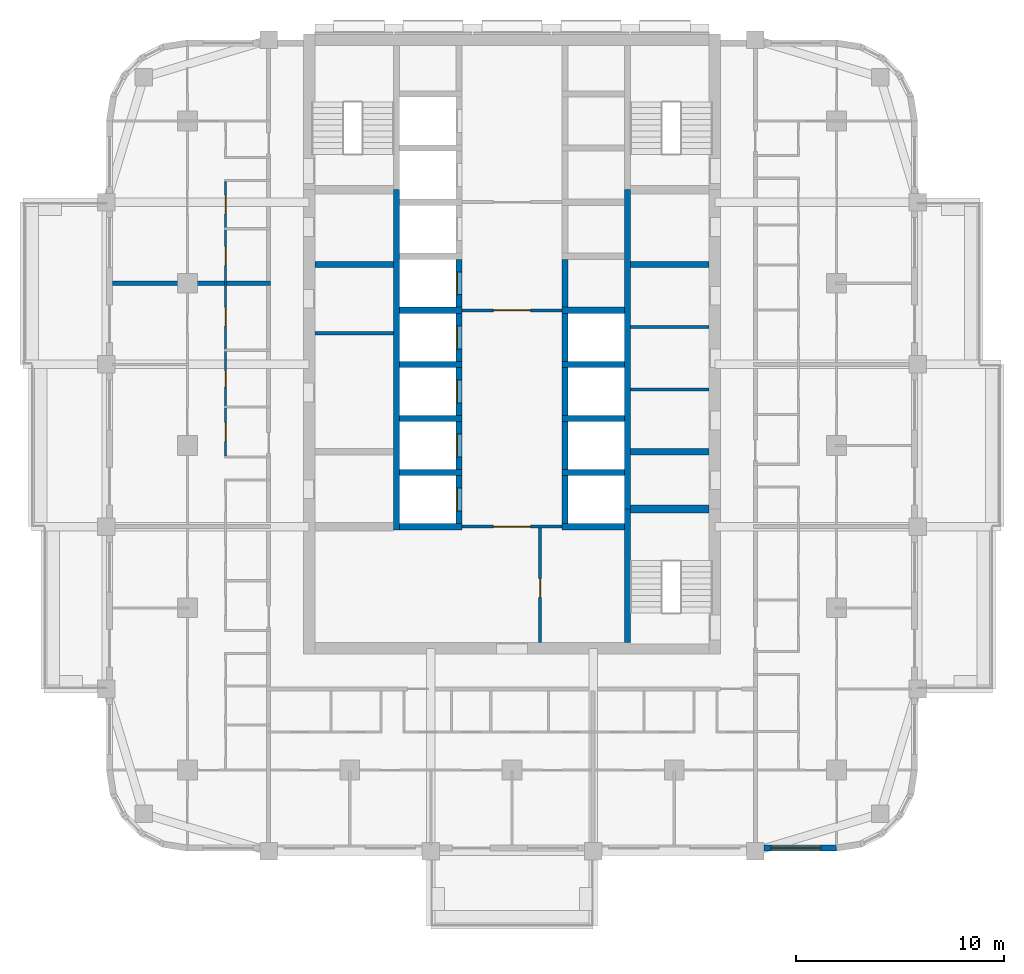
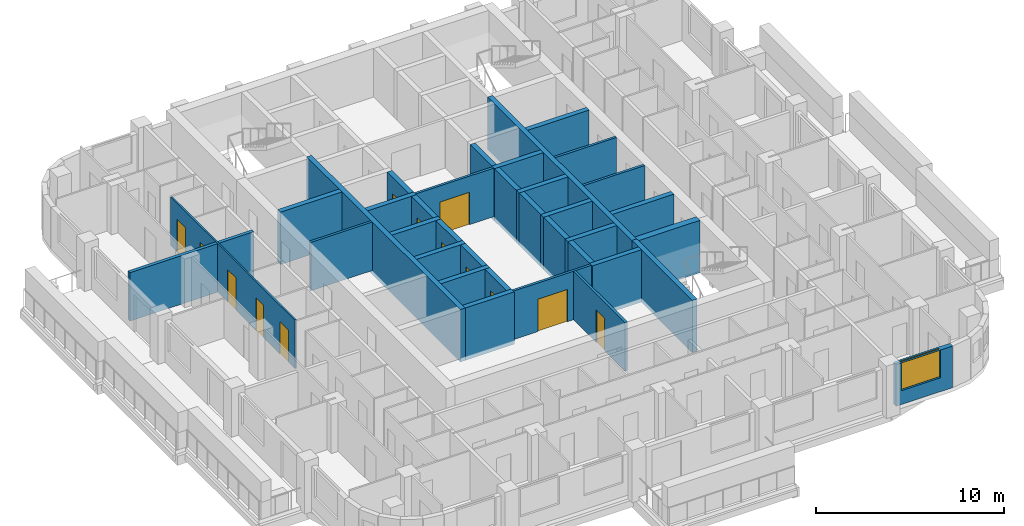
# One storey, part 5 of 13: 36 walls, 13 doors, 1 window, 14 openings.
"""IFC4 building model written with IfcOpenShell, lengths in metres."""

from ifc_helpers import new_model, si_unit, direction, frame, frame_2d, origin, place, context, subcontext, project, spatial, rectangle, extrude, material, layer, layer_set, type_object, element, fill, save


model = new_model("IFC4")

# Units and contexts
model_context = context("Model", 3, precision=1e-05, world=origin(), true_north=direction((0.0, 1.0)))
body_context = subcontext(model_context, "Body", "Model", "MODEL_VIEW")
ifc_project = project(units=[si_unit("LENGTHUNIT", "METRE"), si_unit("AREAUNIT", "SQUARE_METRE"), si_unit("VOLUMEUNIT", "CUBIC_METRE"), si_unit("PLANEANGLEUNIT", "RADIAN"), si_unit("MASSUNIT", "GRAM", prefix="KILO")], contexts=[model_context])

# Site, building, storey
site_placement = place(None, origin())
site = spatial("IfcSite", under=ifc_project, at=site_placement, CompositionType="ELEMENT")
building_placement = place(site_placement, origin())
building = spatial("IfcBuilding", under=site, at=building_placement, Name="Ludao Terraces", CompositionType="ELEMENT")
storey_placement = place(building_placement, frame((0.0, 0.0, 130.5)))
storey = spatial("IfcBuildingStorey", under=building, at=storey_placement, Name="L35", CompositionType="ELEMENT", Elevation=130.5)

# Wall, opening, window
ifc_material_1 = material(Name="Granite cladding", Category="masonry")
ifc_layer_1 = layer(ifc_material_1, 0.0400390625, Category="stone")
ifc_material_2 = material(Name="Mineral wool")
ifc_layer_2 = layer(ifc_material_2, 0.06005859375)
ifc_material_3 = material(Name="Concrete C40", Category="concrete")
ifc_layer_3 = layer(ifc_material_3, 0.199951171875, Category="concrete")
ifc_layer_set_1 = layer_set([ifc_layer_1, ifc_layer_2, ifc_layer_3], Name="ENV Stone-clad wall 300")
wall_type_1 = type_object("IfcWallType", Name="ENV Stone-clad wall 300", PredefinedType="SOLIDWALL", material=ifc_layer_set_1)
wall_1_placement = place(storey_placement, frame((97.125, 45.64990234375, 0.0), z_axis=(0.0, 0.0, 1.0), x_axis=(1.0, 0.0, 0.0)))
wall_1 = element("IfcWall", 1, at=wall_1_placement, inside=storey, type_object=wall_type_1, Name="EW-L35-S5", PredefinedType="SOLIDWALL", context=body_context, shape_type="SweptSolid", body=[
    extrude(rectangle(XDim=3.47509765625, YDim=0.300048828125, at=frame_2d((1.737548828125, 0.0))), origin(), (0.0, 0.0, 1.0), 2.699951171875),
])
opening_1_placement = place(wall_1_placement, frame((0.324951171875, 0.0, 0.89990234375)))
opening_1 = element("IfcOpeningElement", 2, at=opening_1_placement, cuts=wall_1, Name="Opening W1", PredefinedType="OPENING", context=body_context, shape_type="SweptSolid", body=[
    extrude(rectangle(XDim=2.39990234375, YDim=1.800048828125, at=frame_2d((1.199951171875, 0.89990234375))), frame((0.0, 0.16015625, 0.0), z_axis=(0.0, -1.0, 0.0), x_axis=(1.0, 0.0, 0.0)), (0.0, 0.0, 1.0), 0.320068359375),
])
ifc_material_4 = material(Name="Clear glass in aluminium frame", Category="aluminium")
ifc_layer_4 = layer(ifc_material_4, 0.06005859375)
ifc_layer_set_2 = layer_set([ifc_layer_4], Name="ENV Window W1 2400x1800")
window_type = type_object("IfcWindowType", Name="ENV Window W1 2400x1800", PartitioningType="DOUBLE_PANEL_VERTICAL", PredefinedType="WINDOW", material=ifc_layer_set_2)
window_placement = place(opening_1_placement, origin())
window = element("IfcWindow", 3, at=window_placement, inside=storey, type_object=window_type, Name="W-L35-S5-1", OverallHeight=1.800048828125, OverallWidth=2.39990234375, PartitioningType="DOUBLE_PANEL_VERTICAL", PredefinedType="WINDOW", context=body_context, shape_type="SweptSolid", body=[
    extrude(rectangle(XDim=2.39990234375, YDim=1.800048828125, at=frame_2d((1.199951171875, 0.89990234375))), frame((0.0, 0.030029296875, 0.0), z_axis=(0.0, -1.0, 0.0), x_axis=(1.0, 0.0, 0.0)), (0.0, 0.0, 1.0), 0.06005859375),
])
fill(opening_1, window)

# Wall, opening, door
ifc_material_5 = material(Name="Fire-rated gypsum plasterboard", Category="gypsum")
ifc_layer_5 = layer(ifc_material_5, 0.012451171875, Category="gypsum")
ifc_layer_6 = layer(ifc_material_2, 0.10009765625, Name="insulation")
ifc_material_6 = material(Name="Steel Q235", Category="steel")
ifc_layer_7 = layer(ifc_material_6, 0.02490234375, Name="stud")
ifc_layer_8 = layer(ifc_material_5, 0.012451171875, Category="gypsum")
ifc_layer_set_3 = layer_set([ifc_layer_5, ifc_layer_6, ifc_layer_7, ifc_layer_8], Name="INT Core partition 150")
wall_type_2 = type_object("IfcWallType", Name="INT Core partition 150", PredefinedType="PARTITIONING", material=ifc_layer_set_3)
wall_2_placement = place(storey_placement, frame((82.60009765625, 61.10009765625, 0.0), z_axis=(0.0, 0.0, 1.0), x_axis=(1.0, 0.0, 0.0)))
wall_2 = element("IfcWall", 4, at=wall_2_placement, inside=storey, type_object=wall_type_2, Name="PW-L35-PW018", PredefinedType="PARTITIONING", context=body_context, shape_type="SweptSolid", body=[
    extrude(rectangle(XDim=4.800048828125, YDim=0.14990234375, at=frame_2d((2.39990234375, 0.0))), origin(), (0.0, 0.0, 1.0), 3.14990234375),
])
opening_2_placement = place(wall_2_placement, frame((1.5, 0.0, 0.0)))
opening_2 = element("IfcOpeningElement", 5, at=opening_2_placement, cuts=wall_2, Name="Opening R11-041", PredefinedType="OPENING", context=body_context, shape_type="SweptSolid", body=[
    extrude(rectangle(XDim=1.800048828125, YDim=2.10009765625, at=frame_2d((0.89990234375, 1.050048828125))), frame((0.0, 0.0849609375, 0.0), z_axis=(0.0, -1.0, 0.0), x_axis=(1.0, 0.0, 0.0)), (0.0, 0.0, 1.0), 0.169921875),
])
door_type_1 = type_object("IfcDoorType", Name="INT Fire lobby door 1800", OperationType="DOUBLE_DOOR_SINGLE_SWING", PredefinedType="DOOR", material=ifc_material_6)
door_1_placement = place(opening_2_placement, origin())
door_1 = element("IfcDoor", 6, at=door_1_placement, inside=storey, type_object=door_type_1, Name="DOOR 041", OperationType="DOUBLE_DOOR_SINGLE_SWING", OverallHeight=2.10009765625, OverallWidth=1.800048828125, PredefinedType="DOOR", context=body_context, shape_type="SweptSolid", body=[
    extrude(rectangle(XDim=1.800048828125, YDim=2.10009765625, at=frame_2d((0.89990234375, 1.050048828125))), frame((0.0, 0.02490234375, 0.0), z_axis=(0.0, -1.0, 0.0), x_axis=(1.0, 0.0, 0.0)), (0.0, 0.0, 1.0), 0.050048828125),
])
fill(opening_2, door_1)

# Walls
for number, where, z_axis, x_axis, name in (
    (7, (90.7001953125, 67.699951171875, 0.0), (0.0, 0.0, 1.0), (1.0, 0.0, 0.0), "PW-L35-PW027"),
    (8, (75.525146484375, 70.39990234375, 0.0), (0.0, 0.0, 1.0), (1.0, 0.0, 0.0), "PW-L35-PW031"),
    (9, (90.7001953125, 70.699951171875, 0.0), (0.0, 0.0, 1.0), (1.0, 0.0, 0.0), "PW-L35-PW032"),
):
    element("IfcWall", number, at=place(storey_placement, frame(where, z_axis=z_axis, x_axis=x_axis)), inside=storey, type_object=wall_type_2, Name=name, PredefinedType="PARTITIONING", context=body_context, shape_type="SweptSolid", body=[
        extrude(rectangle(XDim=3.77490234375, YDim=0.14990234375, at=frame_2d((1.887451171875, 0.0))), origin(), (0.0, 0.0, 1.0), 3.14990234375),
    ])

# Wall, opening, door
wall_3_placement = place(storey_placement, frame((82.60009765625, 71.5, 0.0), z_axis=(0.0, 0.0, 1.0), x_axis=(1.0, 0.0, 0.0)))
wall_3 = element("IfcWall", 10, at=wall_3_placement, inside=storey, type_object=wall_type_2, Name="PW-L35-PW033", PredefinedType="PARTITIONING", context=body_context, shape_type="SweptSolid", body=[
    extrude(rectangle(XDim=4.800048828125, YDim=0.14990234375, at=frame_2d((2.39990234375, 0.0))), origin(), (0.0, 0.0, 1.0), 3.14990234375),
])
opening_3_placement = place(wall_3_placement, frame((1.5, 0.0, 0.0)))
opening_3 = element("IfcOpeningElement", 11, at=opening_3_placement, cuts=wall_3, Name="Opening R11-066", PredefinedType="OPENING", context=body_context, shape_type="SweptSolid", body=[
    extrude(rectangle(XDim=1.800048828125, YDim=2.10009765625, at=frame_2d((0.89990234375, 1.050048828125))), frame((0.0, 0.0849609375, 0.0), z_axis=(0.0, -1.0, 0.0), x_axis=(1.0, 0.0, 0.0)), (0.0, 0.0, 1.0), 0.169921875),
])
door_2_placement = place(opening_3_placement, origin())
door_2 = element("IfcDoor", 12, at=door_2_placement, inside=storey, type_object=door_type_1, Name="DOOR 066", OperationType="DOUBLE_DOOR_SINGLE_SWING", OverallHeight=2.10009765625, OverallWidth=1.800048828125, PredefinedType="DOOR", context=body_context, shape_type="SweptSolid", body=[
    extrude(rectangle(XDim=1.800048828125, YDim=2.10009765625, at=frame_2d((0.89990234375, 1.050048828125))), frame((0.0, 0.02490234375, 0.0), z_axis=(0.0, -1.0, 0.0), x_axis=(1.0, 0.0, 0.0)), (0.0, 0.0, 1.0), 0.050048828125),
])
fill(opening_3, door_2)

wall_4_placement = place(storey_placement, frame((86.35009765625, 55.525146484375, 0.0), z_axis=(0.0, 0.0, 1.0), x_axis=(0.0, 1.0, 0.0)))
wall_4 = element("IfcWall", 13, at=wall_4_placement, inside=storey, type_object=wall_type_2, Name="PW-L35-PW062", PredefinedType="PARTITIONING", context=body_context, shape_type="SweptSolid", body=[
    extrude(rectangle(XDim=5.5, YDim=0.14990234375, at=frame_2d((2.75, 0.0))), origin(), (0.0, 0.0, 1.0), 3.14990234375),
])
opening_4_placement = place(wall_4_placement, frame((2.175048828125, 0.0, 0.0)))
opening_4 = element("IfcOpeningElement", 14, at=opening_4_placement, cuts=wall_4, Name="Opening R11-036", PredefinedType="OPENING", context=body_context, shape_type="SweptSolid", body=[
    extrude(rectangle(XDim=0.89990234375, YDim=2.10009765625, at=frame_2d((0.449951171875, 1.050048828125))), frame((0.0, 0.0849609375, 0.0), z_axis=(0.0, -1.0, 0.0), x_axis=(1.0, 0.0, 0.0)), (0.0, 0.0, 1.0), 0.169921875),
])
ifc_material_7 = material(Name="Timber door leaf", Category="wood")
door_type_2 = type_object("IfcDoorType", Name="INT Room door 900", OperationType="SINGLE_SWING_LEFT", PredefinedType="DOOR", material=ifc_material_7)
door_3_placement = place(opening_4_placement, origin())
door_3 = element("IfcDoor", 15, at=door_3_placement, inside=storey, type_object=door_type_2, Name="DOOR 036", OperationType="SINGLE_SWING_RIGHT", OverallHeight=2.10009765625, OverallWidth=0.89990234375, PredefinedType="DOOR", context=body_context, shape_type="SweptSolid", body=[
    extrude(rectangle(XDim=0.89990234375, YDim=2.10009765625, at=frame_2d((0.449951171875, 1.050048828125))), frame((0.0, 0.02490234375, 0.0), z_axis=(0.0, -1.0, 0.0), x_axis=(1.0, 0.0, 0.0)), (0.0, 0.0, 1.0), 0.050048828125),
])
fill(opening_4, door_3)

# Wall, openings, doors
ifc_material_8 = material(Name="Gypsum plasterboard", Category="gypsum")
ifc_layer_9 = layer(ifc_material_8, 0.012451171875, Category="gypsum")
ifc_layer_10 = layer(ifc_material_2, 0.06005859375, Name="insulation")
ifc_layer_11 = layer(ifc_material_6, 0.014892578125, Name="stud")
ifc_layer_12 = layer(ifc_material_8, 0.012451171875, Category="gypsum")
ifc_layer_set_4 = layer_set([ifc_layer_9, ifc_layer_10, ifc_layer_11, ifc_layer_12], Name="INT Partition 100")
wall_type_3 = type_object("IfcWallType", Name="INT Partition 100", PredefinedType="PARTITIONING", material=ifc_layer_set_4)
wall_5_placement = place(storey_placement, frame((71.22998046875, 64.5, 0.0), z_axis=(0.0, 0.0, 1.0), x_axis=(0.0, 1.0, 0.0)))
wall_5 = element("IfcWall", 16, at=wall_5_placement, inside=storey, type_object=wall_type_3, Name="PW-L35-PW050", PredefinedType="PARTITIONING", context=body_context, shape_type="SweptSolid", body=[
    extrude(rectangle(XDim=13.2001953125, YDim=0.10009765625, at=frame_2d((6.60009765625, 0.0))), origin(), (0.0, 0.0, 1.0), 3.14990234375),
])
opening_5_placement = place(wall_5_placement, frame((0.7001953125, 0.0, 0.0)))
opening_5 = element("IfcOpeningElement", 17, at=opening_5_placement, cuts=wall_5, Name="Opening R11-052", PredefinedType="OPENING", context=body_context, shape_type="SweptSolid", body=[
    extrude(rectangle(XDim=0.89990234375, YDim=2.10009765625, at=frame_2d((0.449951171875, 1.050048828125))), frame((0.0, 0.06005859375, 0.0), z_axis=(0.0, -1.0, 0.0), x_axis=(1.0, 0.0, 0.0)), (0.0, 0.0, 1.0), 0.1201171875),
])
opening_6_placement = place(wall_5_placement, frame((3.315185546875, 0.0, 0.0)))
opening_6 = element("IfcOpeningElement", 18, at=opening_6_placement, cuts=wall_5, Name="Opening R11-059", PredefinedType="OPENING", context=body_context, shape_type="SweptSolid", body=[
    extrude(rectangle(XDim=0.800048828125, YDim=2.10009765625, at=frame_2d((0.39990234375, 1.050048828125))), frame((0.0, 0.06005859375, 0.0), z_axis=(0.0, -1.0, 0.0), x_axis=(1.0, 0.0, 0.0)), (0.0, 0.0, 1.0), 0.1201171875),
])
opening_7_placement = place(wall_5_placement, frame((6.239990234375, 0.0, 0.0)))
opening_7 = element("IfcOpeningElement", 19, at=opening_7_placement, cuts=wall_5, Name="Opening R11-065", PredefinedType="OPENING", context=body_context, shape_type="SweptSolid", body=[
    extrude(rectangle(XDim=0.89990234375, YDim=2.10009765625, at=frame_2d((0.449951171875, 1.050048828125))), frame((0.0, 0.06005859375, 0.0), z_axis=(0.0, -1.0, 0.0), x_axis=(1.0, 0.0, 0.0)), (0.0, 0.0, 1.0), 0.1201171875),
])
opening_8_placement = place(wall_5_placement, frame((9.16015625, 0.0, 0.0)))
opening_8 = element("IfcOpeningElement", 20, at=opening_8_placement, cuts=wall_5, Name="Opening R11-071", PredefinedType="OPENING", context=body_context, shape_type="SweptSolid", body=[
    extrude(rectangle(XDim=0.89990234375, YDim=2.10009765625, at=frame_2d((0.449951171875, 1.050048828125))), frame((0.0, 0.06005859375, 0.0), z_axis=(0.0, -1.0, 0.0), x_axis=(1.0, 0.0, 0.0)), (0.0, 0.0, 1.0), 0.1201171875),
])
opening_9_placement = place(wall_5_placement, frame((11.635009765625, 0.0, 0.0)))
opening_9 = element("IfcOpeningElement", 21, at=opening_9_placement, cuts=wall_5, Name="Opening R11-076", PredefinedType="OPENING", context=body_context, shape_type="SweptSolid", body=[
    extrude(rectangle(XDim=0.89990234375, YDim=2.10009765625, at=frame_2d((0.449951171875, 1.050048828125))), frame((0.0, 0.06005859375, 0.0), z_axis=(0.0, -1.0, 0.0), x_axis=(1.0, 0.0, 0.0)), (0.0, 0.0, 1.0), 0.1201171875),
])
door_type_3 = type_object("IfcDoorType", Name="INT Bathroom door 900", OperationType="SINGLE_SWING_LEFT", PredefinedType="DOOR", material=ifc_material_7)
door_4_placement = place(opening_5_placement, origin())
door_4 = element("IfcDoor", 22, at=door_4_placement, inside=storey, type_object=door_type_3, Name="DOOR 052", OperationType="SINGLE_SWING_RIGHT", OverallHeight=2.10009765625, OverallWidth=0.89990234375, PredefinedType="DOOR", context=body_context, shape_type="SweptSolid", body=[
    extrude(rectangle(XDim=0.89990234375, YDim=2.10009765625, at=frame_2d((0.449951171875, 1.050048828125))), frame((0.0, 0.02490234375, 0.0), z_axis=(0.0, -1.0, 0.0), x_axis=(1.0, 0.0, 0.0)), (0.0, 0.0, 1.0), 0.050048828125),
])
fill(opening_5, door_4)
door_5_placement = place(opening_9_placement, origin())
door_5 = element("IfcDoor", 23, at=door_5_placement, inside=storey, type_object=door_type_3, Name="DOOR 076", OperationType="SINGLE_SWING_RIGHT", OverallHeight=2.10009765625, OverallWidth=0.89990234375, PredefinedType="DOOR", context=body_context, shape_type="SweptSolid", body=[
    extrude(rectangle(XDim=0.89990234375, YDim=2.10009765625, at=frame_2d((0.449951171875, 1.050048828125))), frame((0.0, 0.02490234375, 0.0), z_axis=(0.0, -1.0, 0.0), x_axis=(1.0, 0.0, 0.0)), (0.0, 0.0, 1.0), 0.050048828125),
])
fill(opening_9, door_5)
door_6_placement = place(opening_7_placement, origin())
door_6 = element("IfcDoor", 24, at=door_6_placement, inside=storey, type_object=door_type_2, Name="DOOR 065", OperationType="SINGLE_SWING_LEFT", OverallHeight=2.10009765625, OverallWidth=0.89990234375, PredefinedType="DOOR", context=body_context, shape_type="SweptSolid", body=[
    extrude(rectangle(XDim=0.89990234375, YDim=2.10009765625, at=frame_2d((0.449951171875, 1.050048828125))), frame((0.0, 0.02490234375, 0.0), z_axis=(0.0, -1.0, 0.0), x_axis=(1.0, 0.0, 0.0)), (0.0, 0.0, 1.0), 0.050048828125),
])
fill(opening_7, door_6)
door_7_placement = place(opening_8_placement, origin())
door_7 = element("IfcDoor", 25, at=door_7_placement, inside=storey, type_object=door_type_2, Name="DOOR 071", OperationType="SINGLE_SWING_RIGHT", OverallHeight=2.10009765625, OverallWidth=0.89990234375, PredefinedType="DOOR", context=body_context, shape_type="SweptSolid", body=[
    extrude(rectangle(XDim=0.89990234375, YDim=2.10009765625, at=frame_2d((0.449951171875, 1.050048828125))), frame((0.0, 0.02490234375, 0.0), z_axis=(0.0, -1.0, 0.0), x_axis=(1.0, 0.0, 0.0)), (0.0, 0.0, 1.0), 0.050048828125),
])
fill(opening_8, door_7)
door_type_4 = type_object("IfcDoorType", Name="INT Store door 800", OperationType="SINGLE_SWING_LEFT", PredefinedType="DOOR", material=ifc_material_7)
door_8_placement = place(opening_6_placement, origin())
door_8 = element("IfcDoor", 26, at=door_8_placement, inside=storey, type_object=door_type_4, Name="DOOR 059", OperationType="SINGLE_SWING_RIGHT", OverallHeight=2.10009765625, OverallWidth=0.800048828125, PredefinedType="DOOR", context=body_context, shape_type="SweptSolid", body=[
    extrude(rectangle(XDim=0.800048828125, YDim=2.10009765625, at=frame_2d((0.39990234375, 1.050048828125))), frame((0.0, 0.02490234375, 0.0), z_axis=(0.0, -1.0, 0.0), x_axis=(1.0, 0.0, 0.0)), (0.0, 0.0, 1.0), 0.050048828125),
])
fill(opening_6, door_8)

# Walls
ifc_material_9 = material(Name="Autoclaved aerated concrete block B06 A3.5", Category="concrete")
ifc_layer_13 = layer(ifc_material_9, 0.199951171875)
ifc_layer_set_5 = layer_set([ifc_layer_13], Name="INT Party wall 200")
wall_type_4 = type_object("IfcWallType", Name="INT Party wall 200", PredefinedType="PARTITIONING", material=ifc_layer_set_5)
wall_6_placement = place(storey_placement, frame((65.800048828125, 72.800048828125, 0.0), z_axis=(0.0, 0.0, 1.0), x_axis=(1.0, 0.0, 0.0)))
element("IfcWall", 27, at=wall_6_placement, inside=storey, type_object=wall_type_4, Name="PW-L35-PW035", PredefinedType="PARTITIONING", context=body_context, shape_type="SweptSolid", body=[
    extrude(rectangle(XDim=7.60009765625, YDim=0.199951171875, at=frame_2d((3.800048828125, 0.0))), origin(), (0.0, 0.0, 1.0), 3.14990234375),
])
ifc_material_10 = material(Name="Concrete C55", Category="concrete")
ifc_layer_14 = layer(ifc_material_10, 0.300048828125)
ifc_layer_set_6 = layer_set([ifc_layer_14], Name="Shaft wall 300 C55")
wall_type_5 = type_object("IfcWallType", Name="Shaft wall 300 C55", PredefinedType="SOLIDWALL", material=ifc_layer_set_6)
wall_7_placement = place(storey_placement, frame((79.449951171875, 60.949951171875, -0.25), z_axis=(0.0, 0.0, 1.0), x_axis=(0.0, 1.0, 0.0)))
element("IfcWall", 28, at=wall_7_placement, inside=storey, type_object=wall_type_5, Name="Core wall L35 back-W", PredefinedType="SOLIDWALL", context=body_context, shape_type="SweptSolid", body=[
    extrude(rectangle(XDim=16.35009765625, YDim=0.300048828125, at=frame_2d((8.175048828125, 0.0))), origin(), (0.0, 0.0, 1.0), 3.39990234375),
])
wall_8_placement = place(storey_placement, frame((90.550048828125, 55.52490234375, -0.25), z_axis=(0.0, 0.0, 1.0), x_axis=(0.0, 1.0, 0.0)))
element("IfcWall", 29, at=wall_8_placement, inside=storey, type_object=wall_type_5, Name="Core wall L35 back-E-S3", PredefinedType="SOLIDWALL", context=body_context, shape_type="SweptSolid", body=[
    extrude(rectangle(XDim=6.425048828125, YDim=0.300048828125, at=frame_2d((3.21240234375, 0.0))), origin(), (0.0, 0.0, 1.0), 3.39990234375),
])
wall_9_placement = place(storey_placement, frame((90.550048828125, 61.949951171875, -0.25), z_axis=(0.0, 0.0, 1.0), x_axis=(0.0, 1.0, 0.0)))
element("IfcWall", 30, at=wall_9_placement, inside=storey, type_object=wall_type_5, Name="Core wall L35 back-E", PredefinedType="SOLIDWALL", context=body_context, shape_type="SweptSolid", body=[
    extrude(rectangle(XDim=15.35009765625, YDim=0.300048828125, at=frame_2d((7.675048828125, 0.0))), origin(), (0.0, 0.0, 1.0), 3.39990234375),
])
wall_10_placement = place(storey_placement, frame((79.60009765625, 61.10009765625, -0.25), z_axis=(0.0, 0.0, 1.0), x_axis=(1.0, 0.0, 0.0)))
element("IfcWall", 31, at=wall_10_placement, inside=storey, type_object=wall_type_5, Name="Core wall L35 div-W1", PredefinedType="SOLIDWALL", context=body_context, shape_type="SweptSolid", body=[
    extrude(rectangle(XDim=3.0, YDim=0.300048828125, at=frame_2d((1.5, 0.0))), origin(), (0.0, 0.0, 1.0), 3.39990234375),
])

# Wall, opening, door
wall_11_placement = place(storey_placement, frame((82.449951171875, 61.25, -0.25), z_axis=(0.0, 0.0, 1.0), x_axis=(0.0, 1.0, 0.0)))
wall_11 = element("IfcWall", 32, at=wall_11_placement, inside=storey, type_object=wall_type_5, Name="Core wall L35 front-W1", PredefinedType="SOLIDWALL", context=body_context, shape_type="SweptSolid", body=[
    extrude(rectangle(XDim=2.300048828125, YDim=0.300048828125, at=frame_2d((1.14990234375, 0.0))), origin(), (0.0, 0.0, 1.0), 3.39990234375),
])
opening_10_placement = place(wall_11_placement, frame((0.60009765625, 0.0, 0.25)))
opening_10 = element("IfcOpeningElement", 33, at=opening_10_placement, cuts=wall_11, Name="Opening LD-LA1", PredefinedType="OPENING", context=body_context, shape_type="SweptSolid", body=[
    extrude(rectangle(XDim=1.10009765625, YDim=2.10009765625, at=frame_2d((0.550048828125, 1.050048828125))), frame((0.0, 0.16015625, 0.0), z_axis=(0.0, -1.0, 0.0), x_axis=(1.0, 0.0, 0.0)), (0.0, 0.0, 1.0), 0.320068359375),
])
ifc_material_11 = material(Name="Stainless steel 304", Category="steel")
door_type_5 = type_object("IfcDoorType", Name="INT Lift landing door 1100", OperationType="SLIDING_TO_LEFT", PredefinedType="DOOR", material=ifc_material_11)
door_9_placement = place(opening_10_placement, origin())
door_9 = element("IfcDoor", 34, at=door_9_placement, inside=storey, type_object=door_type_5, Name="LANDING DOOR LA1 L35", OperationType="SLIDING_TO_RIGHT", OverallHeight=2.10009765625, OverallWidth=1.10009765625, PredefinedType="DOOR", context=body_context, shape_type="SweptSolid", body=[
    extrude(rectangle(XDim=1.10009765625, YDim=2.10009765625, at=frame_2d((0.550048828125, 1.050048828125))), frame((0.0, 0.13525390625, 0.0), z_axis=(0.0, -1.0, 0.0), x_axis=(1.0, 0.0, 0.0)), (0.0, 0.0, 1.0), 0.050048828125),
])
fill(opening_10, door_9)

# Wall
wall_12_placement = place(storey_placement, frame((79.60009765625, 63.699951171875, -0.25), z_axis=(0.0, 0.0, 1.0), x_axis=(1.0, 0.0, 0.0)))
element("IfcWall", 35, at=wall_12_placement, inside=storey, type_object=wall_type_5, Name="Core wall L35 div-W2", PredefinedType="SOLIDWALL", context=body_context, shape_type="SweptSolid", body=[
    extrude(rectangle(XDim=3.0, YDim=0.300048828125, at=frame_2d((1.5, 0.0))), origin(), (0.0, 0.0, 1.0), 3.39990234375),
])

# Wall, opening, door
wall_13_placement = place(storey_placement, frame((82.449951171875, 63.85009765625, -0.25), z_axis=(0.0, 0.0, 1.0), x_axis=(0.0, 1.0, 0.0)))
wall_13 = element("IfcWall", 36, at=wall_13_placement, inside=storey, type_object=wall_type_5, Name="Core wall L35 front-W2", PredefinedType="SOLIDWALL", context=body_context, shape_type="SweptSolid", body=[
    extrude(rectangle(XDim=2.2998046875, YDim=0.300048828125, at=frame_2d((1.14990234375, 0.0))), origin(), (0.0, 0.0, 1.0), 3.39990234375),
])
opening_11_placement = place(wall_13_placement, frame((0.60009765625, 0.0, 0.25)))
opening_11 = element("IfcOpeningElement", 37, at=opening_11_placement, cuts=wall_13, Name="Opening LD-LA2", PredefinedType="OPENING", context=body_context, shape_type="SweptSolid", body=[
    extrude(rectangle(XDim=1.10009765625, YDim=2.10009765625, at=frame_2d((0.550048828125, 1.050048828125))), frame((0.0, 0.16015625, 0.0), z_axis=(0.0, -1.0, 0.0), x_axis=(1.0, 0.0, 0.0)), (0.0, 0.0, 1.0), 0.320068359375),
])
door_10_placement = place(opening_11_placement, origin())
door_10 = element("IfcDoor", 38, at=door_10_placement, inside=storey, type_object=door_type_5, Name="LANDING DOOR LA2 L35", OperationType="SLIDING_TO_RIGHT", OverallHeight=2.10009765625, OverallWidth=1.10009765625, PredefinedType="DOOR", context=body_context, shape_type="SweptSolid", body=[
    extrude(rectangle(XDim=1.10009765625, YDim=2.10009765625, at=frame_2d((0.550048828125, 1.050048828125))), frame((0.0, 0.13525390625, 0.0), z_axis=(0.0, -1.0, 0.0), x_axis=(1.0, 0.0, 0.0)), (0.0, 0.0, 1.0), 0.050048828125),
])
fill(opening_11, door_10)

# Wall
wall_14_placement = place(storey_placement, frame((79.60009765625, 66.300048828125, -0.25), z_axis=(0.0, 0.0, 1.0), x_axis=(1.0, 0.0, 0.0)))
element("IfcWall", 39, at=wall_14_placement, inside=storey, type_object=wall_type_5, Name="Core wall L35 div-W3", PredefinedType="SOLIDWALL", context=body_context, shape_type="SweptSolid", body=[
    extrude(rectangle(XDim=3.0, YDim=0.300048828125, at=frame_2d((1.5, 0.0))), origin(), (0.0, 0.0, 1.0), 3.39990234375),
])

# Wall, opening, door
wall_15_placement = place(storey_placement, frame((82.449951171875, 66.449951171875, -0.25), z_axis=(0.0, 0.0, 1.0), x_axis=(0.0, 1.0, 0.0)))
wall_15 = element("IfcWall", 40, at=wall_15_placement, inside=storey, type_object=wall_type_5, Name="Core wall L35 front-W3", PredefinedType="SOLIDWALL", context=body_context, shape_type="SweptSolid", body=[
    extrude(rectangle(XDim=2.300048828125, YDim=0.300048828125, at=frame_2d((1.14990234375, 0.0))), origin(), (0.0, 0.0, 1.0), 3.39990234375),
])
opening_12_placement = place(wall_15_placement, frame((0.60009765625, 0.0, 0.25)))
opening_12 = element("IfcOpeningElement", 41, at=opening_12_placement, cuts=wall_15, Name="Opening LD-LA3", PredefinedType="OPENING", context=body_context, shape_type="SweptSolid", body=[
    extrude(rectangle(XDim=1.10009765625, YDim=2.10009765625, at=frame_2d((0.550048828125, 1.050048828125))), frame((0.0, 0.16015625, 0.0), z_axis=(0.0, -1.0, 0.0), x_axis=(1.0, 0.0, 0.0)), (0.0, 0.0, 1.0), 0.320068359375),
])
door_11_placement = place(opening_12_placement, origin())
door_11 = element("IfcDoor", 42, at=door_11_placement, inside=storey, type_object=door_type_5, Name="LANDING DOOR LA3 L35", OperationType="SLIDING_TO_RIGHT", OverallHeight=2.10009765625, OverallWidth=1.10009765625, PredefinedType="DOOR", context=body_context, shape_type="SweptSolid", body=[
    extrude(rectangle(XDim=1.10009765625, YDim=2.10009765625, at=frame_2d((0.550048828125, 1.050048828125))), frame((0.0, 0.13525390625, 0.0), z_axis=(0.0, -1.0, 0.0), x_axis=(1.0, 0.0, 0.0)), (0.0, 0.0, 1.0), 0.050048828125),
])
fill(opening_12, door_11)

# Wall
wall_16_placement = place(storey_placement, frame((79.60009765625, 68.89990234375, -0.25), z_axis=(0.0, 0.0, 1.0), x_axis=(1.0, 0.0, 0.0)))
element("IfcWall", 43, at=wall_16_placement, inside=storey, type_object=wall_type_5, Name="Core wall L35 div-W4", PredefinedType="SOLIDWALL", context=body_context, shape_type="SweptSolid", body=[
    extrude(rectangle(XDim=3.0, YDim=0.300048828125, at=frame_2d((1.5, 0.0))), origin(), (0.0, 0.0, 1.0), 3.39990234375),
])

# Wall, opening, door
wall_17_placement = place(storey_placement, frame((82.449951171875, 69.050048828125, -0.25), z_axis=(0.0, 0.0, 1.0), x_axis=(0.0, 1.0, 0.0)))
wall_17 = element("IfcWall", 44, at=wall_17_placement, inside=storey, type_object=wall_type_5, Name="Core wall L35 front-W4", PredefinedType="SOLIDWALL", context=body_context, shape_type="SweptSolid", body=[
    extrude(rectangle(XDim=2.300048828125, YDim=0.300048828125, at=frame_2d((1.14990234375, 0.0))), origin(), (0.0, 0.0, 1.0), 3.39990234375),
])
opening_13_placement = place(wall_17_placement, frame((0.60009765625, 0.0, 0.25)))
opening_13 = element("IfcOpeningElement", 45, at=opening_13_placement, cuts=wall_17, Name="Opening LD-LA4", PredefinedType="OPENING", context=body_context, shape_type="SweptSolid", body=[
    extrude(rectangle(XDim=1.10009765625, YDim=2.10009765625, at=frame_2d((0.550048828125, 1.050048828125))), frame((0.0, 0.16015625, 0.0), z_axis=(0.0, -1.0, 0.0), x_axis=(1.0, 0.0, 0.0)), (0.0, 0.0, 1.0), 0.320068359375),
])
door_12_placement = place(opening_13_placement, origin())
door_12 = element("IfcDoor", 46, at=door_12_placement, inside=storey, type_object=door_type_5, Name="LANDING DOOR LA4 L35", OperationType="SLIDING_TO_LEFT", OverallHeight=2.10009765625, OverallWidth=1.10009765625, PredefinedType="DOOR", context=body_context, shape_type="SweptSolid", body=[
    extrude(rectangle(XDim=1.10009765625, YDim=2.10009765625, at=frame_2d((0.550048828125, 1.050048828125))), frame((0.0, 0.13525390625, 0.0), z_axis=(0.0, -1.0, 0.0), x_axis=(1.0, 0.0, 0.0)), (0.0, 0.0, 1.0), 0.050048828125),
])
fill(opening_13, door_12)

# Wall
wall_18_placement = place(storey_placement, frame((79.60009765625, 71.5, -0.25), z_axis=(0.0, 0.0, 1.0), x_axis=(1.0, 0.0, 0.0)))
element("IfcWall", 47, at=wall_18_placement, inside=storey, type_object=wall_type_5, Name="Core wall L35 div-W5", PredefinedType="SOLIDWALL", context=body_context, shape_type="SweptSolid", body=[
    extrude(rectangle(XDim=3.0, YDim=0.300048828125, at=frame_2d((1.5, 0.0))), origin(), (0.0, 0.0, 1.0), 3.39990234375),
])

# Wall, opening, door
wall_19_placement = place(storey_placement, frame((82.449951171875, 71.64990234375, -0.25), z_axis=(0.0, 0.0, 1.0), x_axis=(0.0, 1.0, 0.0)))
wall_19 = element("IfcWall", 48, at=wall_19_placement, inside=storey, type_object=wall_type_5, Name="Core wall L35 front-W5", PredefinedType="SOLIDWALL", context=body_context, shape_type="SweptSolid", body=[
    extrude(rectangle(XDim=2.300048828125, YDim=0.300048828125, at=frame_2d((1.14990234375, 0.0))), origin(), (0.0, 0.0, 1.0), 3.39990234375),
])
opening_14_placement = place(wall_19_placement, frame((0.60009765625, 0.0, 0.25)))
opening_14 = element("IfcOpeningElement", 49, at=opening_14_placement, cuts=wall_19, Name="Opening LD-LA5", PredefinedType="OPENING", context=body_context, shape_type="SweptSolid", body=[
    extrude(rectangle(XDim=1.10009765625, YDim=2.10009765625, at=frame_2d((0.550048828125, 1.050048828125))), frame((0.0, 0.16015625, 0.0), z_axis=(0.0, -1.0, 0.0), x_axis=(1.0, 0.0, 0.0)), (0.0, 0.0, 1.0), 0.320068359375),
])
door_13_placement = place(opening_14_placement, origin())
door_13 = element("IfcDoor", 50, at=door_13_placement, inside=storey, type_object=door_type_5, Name="LANDING DOOR LA5 L35", OperationType="SLIDING_TO_LEFT", OverallHeight=2.10009765625, OverallWidth=1.10009765625, PredefinedType="DOOR", context=body_context, shape_type="SweptSolid", body=[
    extrude(rectangle(XDim=1.10009765625, YDim=2.10009765625, at=frame_2d((0.550048828125, 1.050048828125))), frame((0.0, 0.13525390625, 0.0), z_axis=(0.0, -1.0, 0.0), x_axis=(1.0, 0.0, 0.0)), (0.0, 0.0, 1.0), 0.050048828125),
])
fill(opening_14, door_13)

# Walls
wall_20_placement = place(storey_placement, frame((87.39990234375, 61.10009765625, -0.25), z_axis=(0.0, 0.0, 1.0), x_axis=(1.0, 0.0, 0.0)))
element("IfcWall", 51, at=wall_20_placement, inside=storey, type_object=wall_type_5, Name="Core wall L35 div-E1", PredefinedType="SOLIDWALL", context=body_context, shape_type="SweptSolid", body=[
    extrude(rectangle(XDim=3.0, YDim=0.300048828125, at=frame_2d((1.5, 0.0))), origin(), (0.0, 0.0, 1.0), 3.39990234375),
])
wall_21_placement = place(storey_placement, frame((87.550048828125, 61.25, -0.25), z_axis=(0.0, 0.0, 1.0), x_axis=(0.0, 1.0, 0.0)))
element("IfcWall", 52, at=wall_21_placement, inside=storey, type_object=wall_type_5, Name="Core wall L35 front-E1", PredefinedType="SOLIDWALL", context=body_context, shape_type="SweptSolid", body=[
    extrude(rectangle(XDim=2.300048828125, YDim=0.300048828125, at=frame_2d((1.14990234375, 0.0))), origin(), (0.0, 0.0, 1.0), 3.39990234375),
])
wall_22_placement = place(storey_placement, frame((87.39990234375, 63.699951171875, -0.25), z_axis=(0.0, 0.0, 1.0), x_axis=(1.0, 0.0, 0.0)))
element("IfcWall", 53, at=wall_22_placement, inside=storey, type_object=wall_type_5, Name="Core wall L35 div-E2", PredefinedType="SOLIDWALL", context=body_context, shape_type="SweptSolid", body=[
    extrude(rectangle(XDim=3.0, YDim=0.300048828125, at=frame_2d((1.5, 0.0))), origin(), (0.0, 0.0, 1.0), 3.39990234375),
])
wall_23_placement = place(storey_placement, frame((87.550048828125, 63.85009765625, -0.25), z_axis=(0.0, 0.0, 1.0), x_axis=(0.0, 1.0, 0.0)))
element("IfcWall", 54, at=wall_23_placement, inside=storey, type_object=wall_type_5, Name="Core wall L35 front-E2", PredefinedType="SOLIDWALL", context=body_context, shape_type="SweptSolid", body=[
    extrude(rectangle(XDim=2.2998046875, YDim=0.300048828125, at=frame_2d((1.14990234375, 0.0))), origin(), (0.0, 0.0, 1.0), 3.39990234375),
])
wall_24_placement = place(storey_placement, frame((87.39990234375, 66.300048828125, -0.25), z_axis=(0.0, 0.0, 1.0), x_axis=(1.0, 0.0, 0.0)))
element("IfcWall", 55, at=wall_24_placement, inside=storey, type_object=wall_type_5, Name="Core wall L35 div-E3", PredefinedType="SOLIDWALL", context=body_context, shape_type="SweptSolid", body=[
    extrude(rectangle(XDim=3.0, YDim=0.300048828125, at=frame_2d((1.5, 0.0))), origin(), (0.0, 0.0, 1.0), 3.39990234375),
])
wall_25_placement = place(storey_placement, frame((87.550048828125, 66.449951171875, -0.25), z_axis=(0.0, 0.0, 1.0), x_axis=(0.0, 1.0, 0.0)))
element("IfcWall", 56, at=wall_25_placement, inside=storey, type_object=wall_type_5, Name="Core wall L35 front-E3", PredefinedType="SOLIDWALL", context=body_context, shape_type="SweptSolid", body=[
    extrude(rectangle(XDim=2.300048828125, YDim=0.300048828125, at=frame_2d((1.14990234375, 0.0))), origin(), (0.0, 0.0, 1.0), 3.39990234375),
])
wall_26_placement = place(storey_placement, frame((87.39990234375, 68.89990234375, -0.25), z_axis=(0.0, 0.0, 1.0), x_axis=(1.0, 0.0, 0.0)))
element("IfcWall", 57, at=wall_26_placement, inside=storey, type_object=wall_type_5, Name="Core wall L35 div-E4", PredefinedType="SOLIDWALL", context=body_context, shape_type="SweptSolid", body=[
    extrude(rectangle(XDim=3.0, YDim=0.300048828125, at=frame_2d((1.5, 0.0))), origin(), (0.0, 0.0, 1.0), 3.39990234375),
])
wall_27_placement = place(storey_placement, frame((87.550048828125, 69.050048828125, -0.25), z_axis=(0.0, 0.0, 1.0), x_axis=(0.0, 1.0, 0.0)))
element("IfcWall", 58, at=wall_27_placement, inside=storey, type_object=wall_type_5, Name="Core wall L35 front-E4", PredefinedType="SOLIDWALL", context=body_context, shape_type="SweptSolid", body=[
    extrude(rectangle(XDim=2.300048828125, YDim=0.300048828125, at=frame_2d((1.14990234375, 0.0))), origin(), (0.0, 0.0, 1.0), 3.39990234375),
])
wall_28_placement = place(storey_placement, frame((87.39990234375, 71.5, -0.25), z_axis=(0.0, 0.0, 1.0), x_axis=(1.0, 0.0, 0.0)))
element("IfcWall", 59, at=wall_28_placement, inside=storey, type_object=wall_type_5, Name="Core wall L35 div-E5", PredefinedType="SOLIDWALL", context=body_context, shape_type="SweptSolid", body=[
    extrude(rectangle(XDim=3.0, YDim=0.300048828125, at=frame_2d((1.5, 0.0))), origin(), (0.0, 0.0, 1.0), 3.39990234375),
])
wall_29_placement = place(storey_placement, frame((87.550048828125, 71.64990234375, -0.25), z_axis=(0.0, 0.0, 1.0), x_axis=(0.0, 1.0, 0.0)))
element("IfcWall", 60, at=wall_29_placement, inside=storey, type_object=wall_type_5, Name="Core wall L35 front-E5", PredefinedType="SOLIDWALL", context=body_context, shape_type="SweptSolid", body=[
    extrude(rectangle(XDim=2.300048828125, YDim=0.300048828125, at=frame_2d((1.14990234375, 0.0))), origin(), (0.0, 0.0, 1.0), 3.39990234375),
])
for number, where, z_axis, x_axis, name in (
    (61, (75.52490234375, 73.699951171875, -0.25), (0.0, 0.0, 1.0), (1.0, 0.0, 0.0), "Core wall L35 riser-b-W"),
    (62, (90.699951171875, 64.699951171875, -0.25), (0.0, 0.0, 1.0), (1.0, 0.0, 0.0), "Core wall L35 riser-a-E"),
    (63, (90.699951171875, 73.699951171875, -0.25), (0.0, 0.0, 1.0), (1.0, 0.0, 0.0), "Core wall L35 riser-b-E"),
):
    element("IfcWall", number, at=place(storey_placement, frame(where, z_axis=z_axis, x_axis=x_axis)), inside=storey, type_object=wall_type_5, Name=name, PredefinedType="SOLIDWALL", context=body_context, shape_type="SweptSolid", body=[
        extrude(rectangle(XDim=3.775146484375, YDim=0.300048828125, at=frame_2d((1.8876953125, 0.0))), origin(), (0.0, 0.0, 1.0), 3.39990234375),
    ])
ifc_layer_15 = layer(ifc_material_10, 0.39990234375)
ifc_layer_set_7 = layer_set([ifc_layer_15], Name="Shaft wall 400 C55")
wall_type_6 = type_object("IfcWallType", Name="Shaft wall 400 C55", PredefinedType="SOLIDWALL", material=ifc_layer_set_7)
wall_30_placement = place(storey_placement, frame((90.699951171875, 61.949951171875, -0.25), z_axis=(0.0, 0.0, 1.0), x_axis=(1.0, 0.0, 0.0)))
element("IfcWall", 64, at=wall_30_placement, inside=storey, type_object=wall_type_6, Name="Core wall L35 hall-E", PredefinedType="SOLIDWALL", context=body_context, shape_type="SweptSolid", body=[
    extrude(rectangle(XDim=3.775146484375, YDim=0.39990234375, at=frame_2d((1.8876953125, 0.0))), origin(), (0.0, 0.0, 1.0), 3.39990234375),
])

save(model, "model.ifc")
